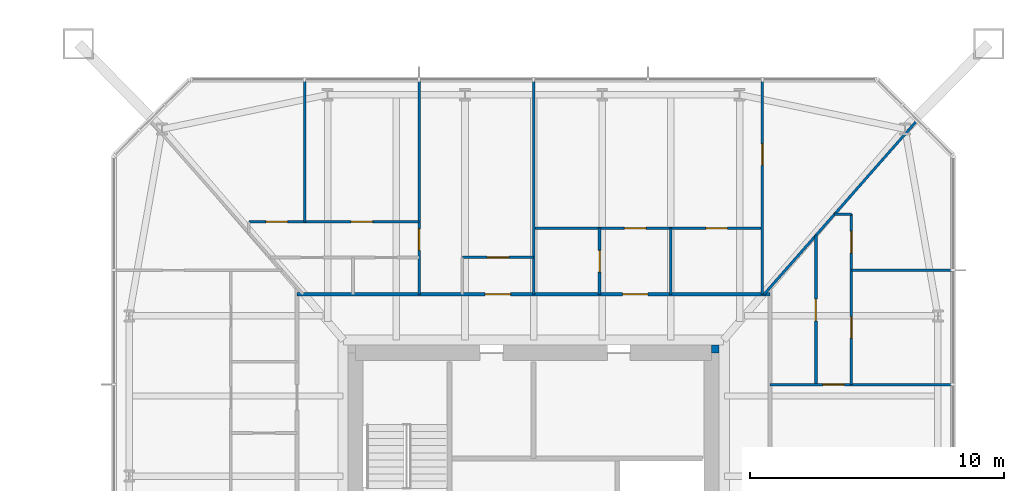
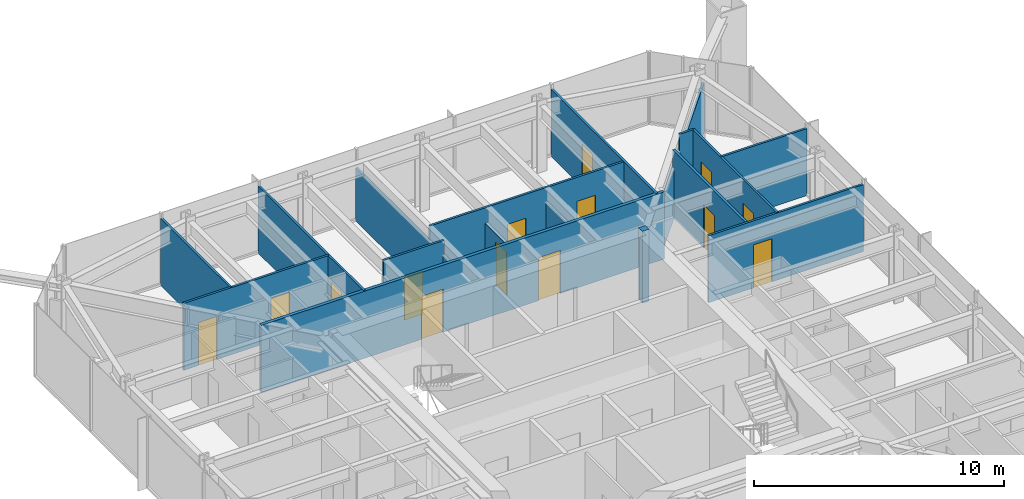
# One storey, part 21 of 26: 17 walls, 14 doors, 14 openings.
"""IFC4 building model written with IfcOpenShell, lengths in metres."""

from ifc_helpers import new_model, si_unit, direction, frame, frame_2d, origin, place, context, subcontext, project, spatial, rectangle, extrude, material, layer, layer_set, type_object, element, fill, save


model = new_model("IFC4")

# Units and contexts
model_context = context("Model", 3, precision=1e-05, world=origin(), true_north=direction((0.0, 1.0)))
body_context = subcontext(model_context, "Body", "Model", "MODEL_VIEW")
ifc_project = project(units=[si_unit("LENGTHUNIT", "METRE"), si_unit("AREAUNIT", "SQUARE_METRE"), si_unit("VOLUMEUNIT", "CUBIC_METRE"), si_unit("PLANEANGLEUNIT", "RADIAN"), si_unit("MASSUNIT", "GRAM", prefix="KILO")], contexts=[model_context])

# Site, building, storey
site_placement = place(None, origin())
site = spatial("IfcSite", under=ifc_project, at=site_placement, CompositionType="ELEMENT")
building_placement = place(site_placement, origin())
building = spatial("IfcBuilding", under=site, at=building_placement, Name="Iwan Alto Co-Living Towers", CompositionType="ELEMENT")
storey_placement = place(building_placement, frame((0.0, 0.0, 67.5)))
storey = spatial("IfcBuildingStorey", under=building, at=storey_placement, Name="L18", CompositionType="ELEMENT", Elevation=67.5)

# Wall, openings, doors
ifc_material_1 = material(Name="Gypsum board")
ifc_layer_1 = layer(ifc_material_1, 0.02490234375, Name="Board", Category="Finish")
ifc_material_2 = material(Name="Steel ASTM A1003 ST33H cold-formed studs", Category="steel")
ifc_layer_2 = layer(ifc_material_2, 0.10009765625, Name="Studs", Category="Framing")
ifc_layer_3 = layer(ifc_material_1, 0.02490234375, Name="Board", Category="Finish")
ifc_layer_set_1 = layer_set([ifc_layer_1, ifc_layer_2, ifc_layer_3], Name="CORRIDOR WALL 150")
wall_type_1 = type_object("IfcWallType", Name="CORRIDOR WALL 150", PredefinedType="PARTITIONING", material=ifc_layer_set_1)
wall_1_placement = place(storey_placement, frame((53.699951171875, 10.300048828125, 0.0), z_axis=(0.0, 0.0, 1.0), x_axis=(1.0, 0.0, 0.0)))
wall_1 = element("IfcWall", 1, at=wall_1_placement, inside=storey, type_object=wall_type_1, Name="Partition L18", PredefinedType="PARTITIONING", context=body_context, shape_type="SweptSolid", body=[
    extrude(rectangle(XDim=18.60009765625, YDim=0.14990234375, at=frame_2d((9.300048828125, 0.0))), origin(), (0.0, 0.0, 1.0), 3.27001953125),
])
opening_1_placement = place(wall_1_placement, frame((12.800048828125, 0.0, 0.0)))
opening_1 = element("IfcOpeningElement", 2, at=opening_1_placement, cuts=wall_1, Name="Opening D3", PredefinedType="OPENING", context=body_context, shape_type="SweptSolid", body=[
    extrude(rectangle(XDim=1.0, YDim=2.10009765625, at=frame_2d((0.5, 1.050048828125))), frame((0.0, 0.0849609375, 0.0), z_axis=(0.0, -1.0, 0.0), x_axis=(1.0, 0.0, 0.0)), (0.0, 0.0, 1.0), 0.169921875),
])
opening_2_placement = place(wall_1_placement, frame((7.39990234375, 0.0, 0.0)))
opening_2 = element("IfcOpeningElement", 3, at=opening_2_placement, cuts=wall_1, Name="Opening D3", PredefinedType="OPENING", context=body_context, shape_type="SweptSolid", body=[
    extrude(rectangle(XDim=1.0, YDim=2.10009765625, at=frame_2d((0.5, 1.050048828125))), frame((0.0, 0.0849609375, 0.0), z_axis=(0.0, -1.0, 0.0), x_axis=(1.0, 0.0, 0.0)), (0.0, 0.0, 1.0), 0.169921875),
])
ifc_material_3 = material(Name="Steel frame with timber leaf", Category="steel")
door_type_1 = type_object("IfcDoorType", Name="FLAT ENTRANCE DOOR FD30S 1000X2100", OperationType="SINGLE_SWING_LEFT", PredefinedType="DOOR", material=ifc_material_3)
door_1_placement = place(opening_1_placement, origin())
door_1 = element("IfcDoor", 4, at=door_1_placement, inside=storey, type_object=door_type_1, Name="Apartment foyer door L18", OperationType="SINGLE_SWING_LEFT", OverallHeight=2.10009765625, OverallWidth=1.0, PredefinedType="DOOR", context=body_context, shape_type="SweptSolid", body=[
    extrude(rectangle(XDim=1.0, YDim=2.10009765625, at=frame_2d((0.5, 1.050048828125))), frame((0.0, 0.02490234375, 0.0), z_axis=(0.0, -1.0, 0.0), x_axis=(1.0, 0.0, 0.0)), (0.0, 0.0, 1.0), 0.050048828125),
])
fill(opening_1, door_1)
door_2_placement = place(opening_2_placement, origin())
door_2 = element("IfcDoor", 5, at=door_2_placement, inside=storey, type_object=door_type_1, Name="Apartment foyer door L18", OperationType="SINGLE_SWING_LEFT", OverallHeight=2.10009765625, OverallWidth=1.0, PredefinedType="DOOR", context=body_context, shape_type="SweptSolid", body=[
    extrude(rectangle(XDim=1.0, YDim=2.10009765625, at=frame_2d((0.5, 1.050048828125))), frame((0.0, 0.02490234375, 0.0), z_axis=(0.0, -1.0, 0.0), x_axis=(1.0, 0.0, 0.0)), (0.0, 0.0, 1.0), 0.050048828125),
])
fill(opening_2, door_2)

# Wall, opening, door
ifc_layer_4 = layer(ifc_material_1, 0.012451171875, Name="Board", Category="Finish")
ifc_layer_5 = layer(ifc_material_2, 0.074951171875, Name="Studs", Category="Framing")
ifc_layer_6 = layer(ifc_material_1, 0.012451171875, Name="Board", Category="Finish")
ifc_layer_set_2 = layer_set([ifc_layer_4, ifc_layer_5, ifc_layer_6], Name="PARTITION 100")
wall_type_2 = type_object("IfcWallType", Name="PARTITION 100", PredefinedType="PARTITIONING", material=ifc_layer_set_2)
wall_2_placement = place(storey_placement, frame((72.300048828125, 6.75, 0.0), z_axis=(0.0, 0.0, 1.0), x_axis=(1.0, 0.0, 0.0)))
wall_2 = element("IfcWall", 6, at=wall_2_placement, inside=storey, type_object=wall_type_2, Name="Partition L18", PredefinedType="PARTITIONING", context=body_context, shape_type="SweptSolid", body=[
    extrude(rectangle(XDim=7.139892578125, YDim=0.10009765625, at=frame_2d((3.56982421875, 0.0))), origin(), (0.0, 0.0, 1.0), 3.27001953125),
])
opening_3_placement = place(wall_2_placement, frame((2.074951171875, 0.0, 0.0)))
opening_3 = element("IfcOpeningElement", 7, at=opening_3_placement, cuts=wall_2, Name="Opening D2", PredefinedType="OPENING", context=body_context, shape_type="SweptSolid", body=[
    extrude(rectangle(XDim=0.85009765625, YDim=2.10009765625, at=frame_2d((0.425048828125, 1.050048828125))), frame((0.0, 0.06005859375, 0.0), z_axis=(0.0, -1.0, 0.0), x_axis=(1.0, 0.0, 0.0)), (0.0, 0.0, 1.0), 0.1201171875),
])
ifc_material_4 = material(Name="Timber leaf in steel frame", Category="steel")
door_type_2 = type_object("IfcDoorType", Name="ROOM DOOR 850X2100", OperationType="SINGLE_SWING_LEFT", PredefinedType="DOOR", material=ifc_material_4)
door_3_placement = place(opening_3_placement, frame((0.85009765625, 0.0, 0.0), z_axis=(0.0, 0.0, 1.0), x_axis=(-1.0, 0.0, 0.0)))
door_3 = element("IfcDoor", 8, at=door_3_placement, inside=storey, type_object=door_type_2, Name="Apartment hall door L18", OperationType="SINGLE_SWING_RIGHT", OverallHeight=2.10009765625, OverallWidth=0.85009765625, PredefinedType="DOOR", context=body_context, shape_type="SweptSolid", body=[
    extrude(rectangle(XDim=0.85009765625, YDim=2.10009765625, at=frame_2d((0.425048828125, 1.050048828125))), frame((0.0, 0.02490234375, 0.0), z_axis=(0.0, -1.0, 0.0), x_axis=(1.0, 0.0, 0.0)), (0.0, 0.0, 1.0), 0.050048828125),
])
fill(opening_3, door_3)

# Wall
wall_3_placement = place(storey_placement, frame((75.5, 11.25, 0.0), z_axis=(0.0, 0.0, 1.0), x_axis=(1.0, 0.0, 0.0)))
element("IfcWall", 9, at=wall_3_placement, inside=storey, type_object=wall_type_2, Name="Partition L18", PredefinedType="PARTITIONING", context=body_context, shape_type="SweptSolid", body=[
    extrude(rectangle(XDim=3.93994140625, YDim=0.10009765625, at=frame_2d((1.969970703125, 0.0))), origin(), (0.0, 0.0, 1.0), 3.27001953125),
])

# Wall, opening, door
wall_4_placement = place(storey_placement, frame((60.199951171875, 11.75, 0.0), z_axis=(0.0, 0.0, 1.0), x_axis=(1.0, 0.0, 0.0)))
wall_4 = element("IfcWall", 10, at=wall_4_placement, inside=storey, type_object=wall_type_2, Name="Partition L18", PredefinedType="PARTITIONING", context=body_context, shape_type="SweptSolid", body=[
    extrude(rectangle(XDim=2.800048828125, YDim=0.10009765625, at=frame_2d((1.39990234375, 0.0))), origin(), (0.0, 0.0, 1.0), 3.27001953125),
])
opening_4_placement = place(wall_4_placement, frame((0.97509765625, 0.0, 0.0)))
opening_4 = element("IfcOpeningElement", 11, at=opening_4_placement, cuts=wall_4, Name="Opening D2", PredefinedType="OPENING", context=body_context, shape_type="SweptSolid", body=[
    extrude(rectangle(XDim=0.85009765625, YDim=2.10009765625, at=frame_2d((0.425048828125, 1.050048828125))), frame((0.0, 0.06005859375, 0.0), z_axis=(0.0, -1.0, 0.0), x_axis=(1.0, 0.0, 0.0)), (0.0, 0.0, 1.0), 0.1201171875),
])
door_4_placement = place(opening_4_placement, origin())
door_4 = element("IfcDoor", 12, at=door_4_placement, inside=storey, type_object=door_type_2, Name="Apartment foyer door L18", OperationType="SINGLE_SWING_RIGHT", OverallHeight=2.10009765625, OverallWidth=0.85009765625, PredefinedType="DOOR", context=body_context, shape_type="SweptSolid", body=[
    extrude(rectangle(XDim=0.85009765625, YDim=2.10009765625, at=frame_2d((0.425048828125, 1.050048828125))), frame((0.0, 0.02490234375, 0.0), z_axis=(0.0, -1.0, 0.0), x_axis=(1.0, 0.0, 0.0)), (0.0, 0.0, 1.0), 0.050048828125),
])
fill(opening_4, door_4)

# Wall, openings, doors
wall_5_placement = place(storey_placement, frame((63.0, 12.89990234375, 0.0), z_axis=(0.0, 0.0, 1.0), x_axis=(1.0, 0.0, 0.0)))
wall_5 = element("IfcWall", 13, at=wall_5_placement, inside=storey, type_object=wall_type_2, Name="Partition L18", PredefinedType="PARTITIONING", context=body_context, shape_type="SweptSolid", body=[
    extrude(rectangle(XDim=9.0, YDim=0.10009765625, at=frame_2d((4.5, 0.0))), origin(), (0.0, 0.0, 1.0), 3.27001953125),
])
opening_5_placement = place(wall_5_placement, frame((6.77490234375, 0.0, 0.0)))
opening_5 = element("IfcOpeningElement", 14, at=opening_5_placement, cuts=wall_5, Name="Opening D2", PredefinedType="OPENING", context=body_context, shape_type="SweptSolid", body=[
    extrude(rectangle(XDim=0.85009765625, YDim=2.10009765625, at=frame_2d((0.425048828125, 1.050048828125))), frame((0.0, 0.06005859375, 0.0), z_axis=(0.0, -1.0, 0.0), x_axis=(1.0, 0.0, 0.0)), (0.0, 0.0, 1.0), 0.1201171875),
])
opening_6_placement = place(wall_5_placement, frame((3.574951171875, 0.0, 0.0)))
opening_6 = element("IfcOpeningElement", 15, at=opening_6_placement, cuts=wall_5, Name="Opening D2", PredefinedType="OPENING", context=body_context, shape_type="SweptSolid", body=[
    extrude(rectangle(XDim=0.85009765625, YDim=2.10009765625, at=frame_2d((0.425048828125, 1.050048828125))), frame((0.0, 0.06005859375, 0.0), z_axis=(0.0, -1.0, 0.0), x_axis=(1.0, 0.0, 0.0)), (0.0, 0.0, 1.0), 0.1201171875),
])
door_5_placement = place(opening_5_placement, origin())
door_5 = element("IfcDoor", 16, at=door_5_placement, inside=storey, type_object=door_type_2, Name="Kitchen door L18", OperationType="SINGLE_SWING_RIGHT", OverallHeight=2.10009765625, OverallWidth=0.85009765625, PredefinedType="DOOR", context=body_context, shape_type="SweptSolid", body=[
    extrude(rectangle(XDim=0.85009765625, YDim=2.10009765625, at=frame_2d((0.425048828125, 1.050048828125))), frame((0.0, 0.02490234375, 0.0), z_axis=(0.0, -1.0, 0.0), x_axis=(1.0, 0.0, 0.0)), (0.0, 0.0, 1.0), 0.050048828125),
])
fill(opening_5, door_5)
door_6_placement = place(opening_6_placement, origin())
door_6 = element("IfcDoor", 17, at=door_6_placement, inside=storey, type_object=door_type_2, Name="Apartment foyer door L18", OperationType="SINGLE_SWING_LEFT", OverallHeight=2.10009765625, OverallWidth=0.85009765625, PredefinedType="DOOR", context=body_context, shape_type="SweptSolid", body=[
    extrude(rectangle(XDim=0.85009765625, YDim=2.10009765625, at=frame_2d((0.425048828125, 1.050048828125))), frame((0.0, 0.02490234375, 0.0), z_axis=(0.0, -1.0, 0.0), x_axis=(1.0, 0.0, 0.0)), (0.0, 0.0, 1.0), 0.050048828125),
])
fill(opening_6, door_6)

wall_6_placement = place(storey_placement, frame((51.800048828125, 13.14990234375, 0.0), z_axis=(0.0, 0.0, 1.0), x_axis=(1.0, 0.0, 0.0)))
wall_6 = element("IfcWall", 18, at=wall_6_placement, inside=storey, type_object=wall_type_2, Name="Partition L18", PredefinedType="PARTITIONING", context=body_context, shape_type="SweptSolid", body=[
    extrude(rectangle(XDim=6.699951171875, YDim=0.10009765625, at=frame_2d((3.35009765625, 0.0))), origin(), (0.0, 0.0, 1.0), 3.27001953125),
])
opening_7_placement = place(wall_6_placement, frame((4.02490234375, 0.0, 0.0)))
opening_7 = element("IfcOpeningElement", 19, at=opening_7_placement, cuts=wall_6, Name="Opening D2", PredefinedType="OPENING", context=body_context, shape_type="SweptSolid", body=[
    extrude(rectangle(XDim=0.85009765625, YDim=2.10009765625, at=frame_2d((0.425048828125, 1.050048828125))), frame((0.0, 0.06005859375, 0.0), z_axis=(0.0, -1.0, 0.0), x_axis=(1.0, 0.0, 0.0)), (0.0, 0.0, 1.0), 0.1201171875),
])
opening_8_placement = place(wall_6_placement, frame((0.675048828125, 0.0, 0.0)))
opening_8 = element("IfcOpeningElement", 20, at=opening_8_placement, cuts=wall_6, Name="Opening D2", PredefinedType="OPENING", context=body_context, shape_type="SweptSolid", body=[
    extrude(rectangle(XDim=0.85009765625, YDim=2.10009765625, at=frame_2d((0.425048828125, 1.050048828125))), frame((0.0, 0.06005859375, 0.0), z_axis=(0.0, -1.0, 0.0), x_axis=(1.0, 0.0, 0.0)), (0.0, 0.0, 1.0), 0.1201171875),
])
door_7_placement = place(opening_7_placement, origin())
door_7 = element("IfcDoor", 21, at=door_7_placement, inside=storey, type_object=door_type_2, Name="Study door L18", OperationType="SINGLE_SWING_LEFT", OverallHeight=2.10009765625, OverallWidth=0.85009765625, PredefinedType="DOOR", context=body_context, shape_type="SweptSolid", body=[
    extrude(rectangle(XDim=0.85009765625, YDim=2.10009765625, at=frame_2d((0.425048828125, 1.050048828125))), frame((0.0, 0.02490234375, 0.0), z_axis=(0.0, -1.0, 0.0), x_axis=(1.0, 0.0, 0.0)), (0.0, 0.0, 1.0), 0.050048828125),
])
fill(opening_7, door_7)
door_8_placement = place(opening_8_placement, origin())
door_8 = element("IfcDoor", 22, at=door_8_placement, inside=storey, type_object=door_type_2, Name="Bedroom door L18", OperationType="SINGLE_SWING_RIGHT", OverallHeight=2.10009765625, OverallWidth=0.85009765625, PredefinedType="DOOR", context=body_context, shape_type="SweptSolid", body=[
    extrude(rectangle(XDim=0.85009765625, YDim=2.10009765625, at=frame_2d((0.425048828125, 1.050048828125))), frame((0.0, 0.02490234375, 0.0), z_axis=(0.0, -1.0, 0.0), x_axis=(1.0, 0.0, 0.0)), (0.0, 0.0, 1.0), 0.050048828125),
])
fill(opening_8, door_8)

# Walls
wall_7_placement = place(storey_placement, frame((74.8359375, 13.449951171875, 0.0), z_axis=(0.0, 0.0, 1.0), x_axis=(1.0, 0.0, 0.0)))
element("IfcWall", 23, at=wall_7_placement, inside=storey, type_object=wall_type_2, Name="Partition L18", PredefinedType="PARTITIONING", context=body_context, shape_type="SweptSolid", body=[
    extrude(rectangle(XDim=0.6640625, YDim=0.10009765625, at=frame_2d((0.33203125, 0.0))), origin(), (0.0, 0.0, 1.0), 3.27001953125),
])
wall_8_placement = place(storey_placement, frame((72.06396484375, 10.300048828125, 0.0), z_axis=(0.0, 0.0, 1.0), x_axis=(0.660700699661, 0.750649442461, 0.0)))
element("IfcWall", 24, at=wall_8_placement, inside=storey, type_object=wall_type_2, Name="Partition L18", PredefinedType="PARTITIONING", context=body_context, shape_type="SweptSolid", body=[
    extrude(rectangle(XDim=9.07080078125, YDim=0.10009765625, at=frame_2d((4.535400390625, 0.0))), origin(), (0.0, 0.0, 1.0), 2.42919921875),
])

# Wall, openings, doors
wall_9_placement = place(storey_placement, frame((75.5, 6.75, 0.0), z_axis=(0.0, 0.0, 1.0), x_axis=(0.0, 1.0, 0.0)))
wall_9 = element("IfcWall", 25, at=wall_9_placement, inside=storey, type_object=wall_type_2, Name="Partition L18", PredefinedType="PARTITIONING", context=body_context, shape_type="SweptSolid", body=[
    extrude(rectangle(XDim=6.699951171875, YDim=0.10009765625, at=frame_2d((3.35009765625, 0.0))), origin(), (0.0, 0.0, 1.0), 3.27001953125),
])
opening_9_placement = place(wall_9_placement, frame((1.824951171875, 0.0, 0.0)))
opening_9 = element("IfcOpeningElement", 26, at=opening_9_placement, cuts=wall_9, Name="Opening D2", PredefinedType="OPENING", context=body_context, shape_type="SweptSolid", body=[
    extrude(rectangle(XDim=0.85009765625, YDim=2.10009765625, at=frame_2d((0.425048828125, 1.050048828125))), frame((0.0, 0.06005859375, 0.0), z_axis=(0.0, -1.0, 0.0), x_axis=(1.0, 0.0, 0.0)), (0.0, 0.0, 1.0), 0.1201171875),
])
opening_10_placement = place(wall_9_placement, frame((5.175048828125, 0.0, 0.0)))
opening_10 = element("IfcOpeningElement", 27, at=opening_10_placement, cuts=wall_9, Name="Opening D2", PredefinedType="OPENING", context=body_context, shape_type="SweptSolid", body=[
    extrude(rectangle(XDim=0.85009765625, YDim=2.10009765625, at=frame_2d((0.425048828125, 1.050048828125))), frame((0.0, 0.06005859375, 0.0), z_axis=(0.0, -1.0, 0.0), x_axis=(1.0, 0.0, 0.0)), (0.0, 0.0, 1.0), 0.1201171875),
])
door_9_placement = place(opening_9_placement, frame((0.85009765625, 0.0, 0.0), z_axis=(0.0, 0.0, 1.0), x_axis=(-1.0, 0.0, 0.0)))
door_9 = element("IfcDoor", 28, at=door_9_placement, inside=storey, type_object=door_type_2, Name="Bedroom door L18", OperationType="SINGLE_SWING_RIGHT", OverallHeight=2.10009765625, OverallWidth=0.85009765625, PredefinedType="DOOR", context=body_context, shape_type="SweptSolid", body=[
    extrude(rectangle(XDim=0.85009765625, YDim=2.10009765625, at=frame_2d((0.425048828125, 1.050048828125))), frame((0.0, 0.02490234375, 0.0), z_axis=(0.0, -1.0, 0.0), x_axis=(1.0, 0.0, 0.0)), (0.0, 0.0, 1.0), 0.050048828125),
])
fill(opening_9, door_9)
door_10_placement = place(opening_10_placement, frame((0.85009765625, 0.0, 0.0), z_axis=(0.0, 0.0, 1.0), x_axis=(-1.0, 0.0, 0.0)))
door_10 = element("IfcDoor", 29, at=door_10_placement, inside=storey, type_object=door_type_2, Name="Study door L18", OperationType="SINGLE_SWING_RIGHT", OverallHeight=2.10009765625, OverallWidth=0.85009765625, PredefinedType="DOOR", context=body_context, shape_type="SweptSolid", body=[
    extrude(rectangle(XDim=0.85009765625, YDim=2.10009765625, at=frame_2d((0.425048828125, 1.050048828125))), frame((0.0, 0.02490234375, 0.0), z_axis=(0.0, -1.0, 0.0), x_axis=(1.0, 0.0, 0.0)), (0.0, 0.0, 1.0), 0.050048828125),
])
fill(opening_10, door_10)

# Wall, opening, door
wall_10_placement = place(storey_placement, frame((72.0, 10.300048828125, 0.0), z_axis=(0.0, 0.0, 1.0), x_axis=(0.0, 1.0, 0.0)))
wall_10 = element("IfcWall", 30, at=wall_10_placement, inside=storey, type_object=wall_type_2, Name="Partition L18", PredefinedType="PARTITIONING", context=body_context, shape_type="SweptSolid", body=[
    extrude(rectangle(XDim=8.389892578125, YDim=0.10009765625, at=frame_2d((4.19482421875, 0.0))), origin(), (0.0, 0.0, 1.0), 3.27001953125),
])
opening_11_placement = place(wall_10_placement, frame((5.070068359375, 0.0, 0.0)))
opening_11 = element("IfcOpeningElement", 31, at=opening_11_placement, cuts=wall_10, Name="Opening D2", PredefinedType="OPENING", context=body_context, shape_type="SweptSolid", body=[
    extrude(rectangle(XDim=0.85009765625, YDim=2.10009765625, at=frame_2d((0.425048828125, 1.050048828125))), frame((0.0, 0.06005859375, 0.0), z_axis=(0.0, -1.0, 0.0), x_axis=(1.0, 0.0, 0.0)), (0.0, 0.0, 1.0), 0.1201171875),
])
door_11_placement = place(opening_11_placement, origin())
door_11 = element("IfcDoor", 32, at=door_11_placement, inside=storey, type_object=door_type_2, Name="Bedroom door L18", OperationType="SINGLE_SWING_LEFT", OverallHeight=2.10009765625, OverallWidth=0.85009765625, PredefinedType="DOOR", context=body_context, shape_type="SweptSolid", body=[
    extrude(rectangle(XDim=0.85009765625, YDim=2.10009765625, at=frame_2d((0.425048828125, 1.050048828125))), frame((0.0, 0.02490234375, 0.0), z_axis=(0.0, -1.0, 0.0), x_axis=(1.0, 0.0, 0.0)), (0.0, 0.0, 1.0), 0.050048828125),
])
fill(opening_11, door_11)

# Walls
wall_11_placement = place(storey_placement, frame((68.39990234375, 10.300048828125, 0.0), z_axis=(0.0, 0.0, 1.0), x_axis=(0.0, 1.0, 0.0)))
element("IfcWall", 33, at=wall_11_placement, inside=storey, type_object=wall_type_2, Name="Partition L18", PredefinedType="PARTITIONING", context=body_context, shape_type="SweptSolid", body=[
    extrude(rectangle(XDim=2.599853515625, YDim=0.10009765625, at=frame_2d((1.2998046875, 0.0))), origin(), (0.0, 0.0, 1.0), 2.586669921875),
])
wall_12_placement = place(storey_placement, frame((63.0, 10.300048828125, 0.0), z_axis=(0.0, 0.0, 1.0), x_axis=(0.0, 1.0, 0.0)))
element("IfcWall", 34, at=wall_12_placement, inside=storey, type_object=wall_type_2, Name="Partition L18", PredefinedType="PARTITIONING", context=body_context, shape_type="SweptSolid", body=[
    extrude(rectangle(XDim=8.389892578125, YDim=0.10009765625, at=frame_2d((4.19482421875, 0.0))), origin(), (0.0, 0.0, 1.0), 2.586669921875),
])

# Wall, opening, door
wall_13_placement = place(storey_placement, frame((58.5, 10.300048828125, 0.0), z_axis=(0.0, 0.0, 1.0), x_axis=(0.0, 1.0, 0.0)))
wall_13 = element("IfcWall", 35, at=wall_13_placement, inside=storey, type_object=wall_type_2, Name="Partition L18", PredefinedType="PARTITIONING", context=body_context, shape_type="SweptSolid", body=[
    extrude(rectangle(XDim=8.389892578125, YDim=0.10009765625, at=frame_2d((4.19482421875, 0.0))), origin(), (0.0, 0.0, 1.0), 3.27001953125),
])
opening_12_placement = place(wall_13_placement, frame((1.72509765625, 0.0, 0.0)))
opening_12 = element("IfcOpeningElement", 36, at=opening_12_placement, cuts=wall_13, Name="Opening D2", PredefinedType="OPENING", context=body_context, shape_type="SweptSolid", body=[
    extrude(rectangle(XDim=0.85009765625, YDim=2.10009765625, at=frame_2d((0.425048828125, 1.050048828125))), frame((0.0, 0.06005859375, 0.0), z_axis=(0.0, -1.0, 0.0), x_axis=(1.0, 0.0, 0.0)), (0.0, 0.0, 1.0), 0.1201171875),
])
door_12_placement = place(opening_12_placement, frame((0.85009765625, 0.0, 0.0), z_axis=(0.0, 0.0, 1.0), x_axis=(-1.0, 0.0, 0.0)))
door_12 = element("IfcDoor", 37, at=door_12_placement, inside=storey, type_object=door_type_2, Name="Apartment hall door L18", OperationType="SINGLE_SWING_RIGHT", OverallHeight=2.10009765625, OverallWidth=0.85009765625, PredefinedType="DOOR", context=body_context, shape_type="SweptSolid", body=[
    extrude(rectangle(XDim=0.85009765625, YDim=2.10009765625, at=frame_2d((0.425048828125, 1.050048828125))), frame((0.0, 0.02490234375, 0.0), z_axis=(0.0, -1.0, 0.0), x_axis=(1.0, 0.0, 0.0)), (0.0, 0.0, 1.0), 0.050048828125),
])
fill(opening_12, door_12)

# Walls
wall_14_placement = place(storey_placement, frame((54.0, 13.14990234375, 0.0), z_axis=(0.0, 0.0, 1.0), x_axis=(0.0, 1.0, 0.0)))
element("IfcWall", 38, at=wall_14_placement, inside=storey, type_object=wall_type_2, Name="Partition L18", PredefinedType="PARTITIONING", context=body_context, shape_type="SweptSolid", body=[
    extrude(rectangle(XDim=5.5400390625, YDim=0.10009765625, at=frame_2d((2.77001953125, 0.0))), origin(), (0.0, 0.0, 1.0), 3.27001953125),
])
ifc_material_5 = material(Name="Concrete f'c 70 MPa", Category="concrete")
ifc_layer_7 = layer(ifc_material_5, 0.300048828125)
ifc_layer_set_3 = layer_set([ifc_layer_7], Name="T2 CORE CORNER FILL 300")
wall_type_3 = type_object("IfcWallType", Name="T2 CORE CORNER FILL 300", PredefinedType="SOLIDWALL", material=ifc_layer_set_3)
wall_15_placement = place(storey_placement, frame((70.0, 8.14990234375, 0.0), z_axis=(0.0, 0.0, 1.0), x_axis=(1.0, 0.0, 0.0)))
element("IfcWall", 39, at=wall_15_placement, inside=storey, type_object=wall_type_3, Name="T2 core corner NE L18", PredefinedType="SOLIDWALL", context=body_context, shape_type="SweptSolid", body=[
    extrude(rectangle(XDim=0.300048828125, YDim=0.300048828125, at=frame_2d((0.14990234375, 0.0))), origin(), (0.0, 0.0, 1.0), 3.5),
])

# Wall, opening, door
ifc_material_6 = material(Name="Cement board")
ifc_layer_8 = layer(ifc_material_6, 0.012451171875, Name="Board", Category="Finish")
ifc_layer_9 = layer(ifc_material_2, 0.094970703125, Name="Studs", Category="Framing")
ifc_layer_10 = layer(ifc_material_6, 0.012451171875, Name="Board", Category="Finish")
ifc_layer_set_4 = layer_set([ifc_layer_8, ifc_layer_9, ifc_layer_10], Name="WET AREA PARTITION 120")
wall_type_4 = type_object("IfcWallType", Name="WET AREA PARTITION 120", PredefinedType="PARTITIONING", material=ifc_layer_set_4)
wall_16_placement = place(storey_placement, frame((74.10009765625, 6.75, 0.0), z_axis=(0.0, 0.0, 1.0), x_axis=(0.0, 1.0, 0.0)))
wall_16 = element("IfcWall", 40, at=wall_16_placement, inside=storey, type_object=wall_type_4, Name="Partition L18", PredefinedType="PARTITIONING", context=body_context, shape_type="SweptSolid", body=[
    extrude(rectangle(XDim=5.864013671875, YDim=0.1201171875, at=frame_2d((2.93212890625, 0.0))), origin(), (0.0, 0.0, 1.0), 3.27001953125),
])
opening_13_placement = place(wall_16_placement, frame((2.507080078125, 0.0, 0.0)))
opening_13 = element("IfcOpeningElement", 41, at=opening_13_placement, cuts=wall_16, Name="Opening D2", PredefinedType="OPENING", context=body_context, shape_type="SweptSolid", body=[
    extrude(rectangle(XDim=0.85009765625, YDim=2.10009765625, at=frame_2d((0.425048828125, 1.050048828125))), frame((0.0, 0.070068359375, 0.0), z_axis=(0.0, -1.0, 0.0), x_axis=(1.0, 0.0, 0.0)), (0.0, 0.0, 1.0), 0.14013671875),
])
door_13_placement = place(opening_13_placement, origin())
door_13 = element("IfcDoor", 42, at=door_13_placement, inside=storey, type_object=door_type_2, Name="Utility room door L18", OperationType="SINGLE_SWING_RIGHT", OverallHeight=2.10009765625, OverallWidth=0.85009765625, PredefinedType="DOOR", context=body_context, shape_type="SweptSolid", body=[
    extrude(rectangle(XDim=0.85009765625, YDim=2.10009765625, at=frame_2d((0.425048828125, 1.050048828125))), frame((0.0, 0.02490234375, 0.0), z_axis=(0.0, -1.0, 0.0), x_axis=(1.0, 0.0, 0.0)), (0.0, 0.0, 1.0), 0.050048828125),
])
fill(opening_13, door_13)

wall_17_placement = place(storey_placement, frame((65.60009765625, 10.300048828125, 0.0), z_axis=(0.0, 0.0, 1.0), x_axis=(0.0, 1.0, 0.0)))
wall_17 = element("IfcWall", 43, at=wall_17_placement, inside=storey, type_object=wall_type_4, Name="Partition L18", PredefinedType="PARTITIONING", context=body_context, shape_type="SweptSolid", body=[
    extrude(rectangle(XDim=2.599853515625, YDim=0.1201171875, at=frame_2d((1.2998046875, 0.0))), origin(), (0.0, 0.0, 1.0), 2.508056640625),
])
opening_14_placement = place(wall_17_placement, frame((0.875, 0.0, 0.0)))
opening_14 = element("IfcOpeningElement", 44, at=opening_14_placement, cuts=wall_17, Name="Opening D2", PredefinedType="OPENING", context=body_context, shape_type="SweptSolid", body=[
    extrude(rectangle(XDim=0.85009765625, YDim=2.10009765625, at=frame_2d((0.425048828125, 1.050048828125))), frame((0.0, 0.070068359375, 0.0), z_axis=(0.0, -1.0, 0.0), x_axis=(1.0, 0.0, 0.0)), (0.0, 0.0, 1.0), 0.14013671875),
])
door_14_placement = place(opening_14_placement, origin())
door_14 = element("IfcDoor", 45, at=door_14_placement, inside=storey, type_object=door_type_2, Name="Bathroom door L18", OperationType="SINGLE_SWING_LEFT", OverallHeight=2.10009765625, OverallWidth=0.85009765625, PredefinedType="DOOR", context=body_context, shape_type="SweptSolid", body=[
    extrude(rectangle(XDim=0.85009765625, YDim=2.10009765625, at=frame_2d((0.425048828125, 1.050048828125))), frame((0.0, 0.02490234375, 0.0), z_axis=(0.0, -1.0, 0.0), x_axis=(1.0, 0.0, 0.0)), (0.0, 0.0, 1.0), 0.050048828125),
])
fill(opening_14, door_14)

save(model, "model.ifc")
